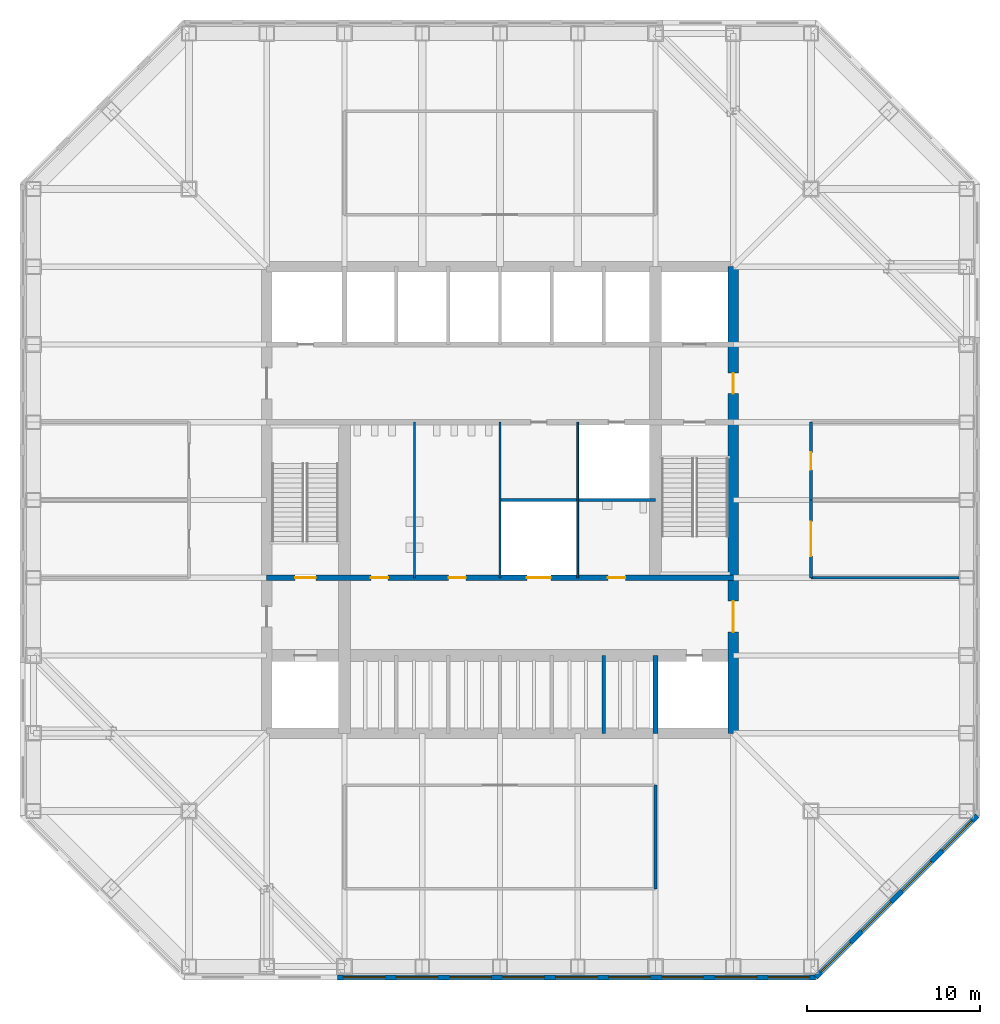
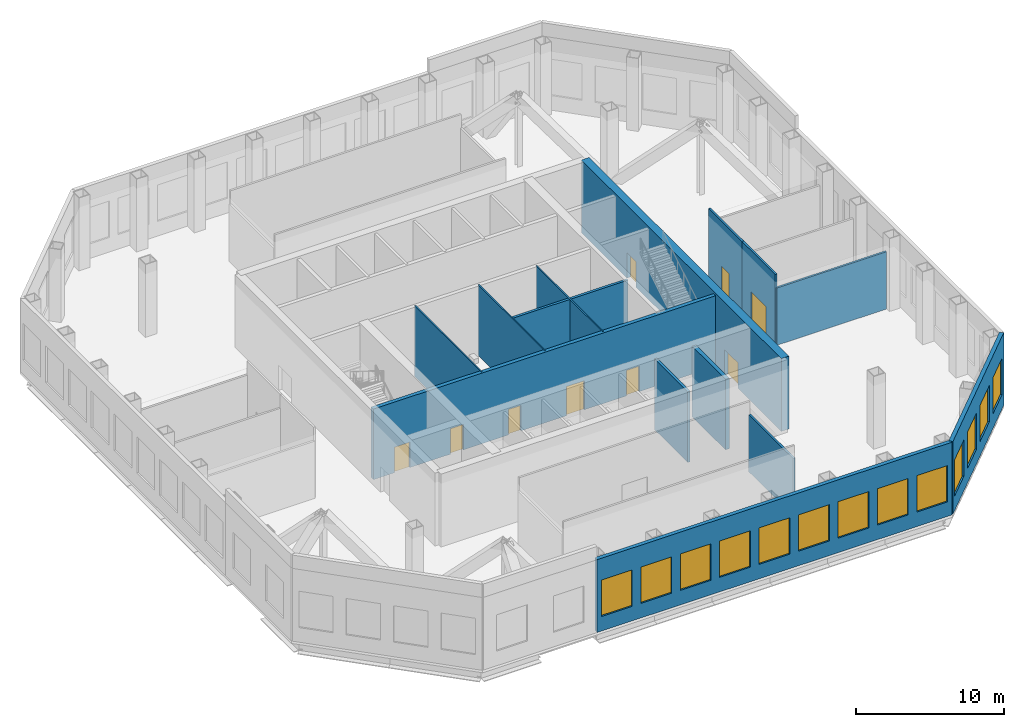
# One storey, part 6 of 11: 14 walls, 13 windows, 9 doors, 22 openings.
"""IFC4 building model written with IfcOpenShell, lengths in metres."""

from ifc_helpers import new_model, si_unit, direction, frame, frame_2d, origin, place, context, subcontext, project, spatial, rectangle, extrude, material, layer, layer_set, type_object, element, fill, save


model = new_model("IFC4")

# Units and contexts
model_context = context("Model", 3, precision=1e-05, world=origin(), true_north=direction((0.0, 1.0)))
body_context = subcontext(model_context, "Body", "Model", "MODEL_VIEW")
ifc_project = project(units=[si_unit("LENGTHUNIT", "METRE"), si_unit("AREAUNIT", "SQUARE_METRE"), si_unit("VOLUMEUNIT", "CUBIC_METRE"), si_unit("PLANEANGLEUNIT", "RADIAN"), si_unit("MASSUNIT", "GRAM", prefix="KILO")], contexts=[model_context])

# Site, building, storey
site_placement = place(None, origin())
site = spatial("IfcSite", under=ifc_project, at=site_placement, CompositionType="ELEMENT")
building_placement = place(site_placement, origin())
building = spatial("IfcBuilding", under=site, at=building_placement, Name="Corais Broadcast Tower", CompositionType="ELEMENT")
storey_placement = place(building_placement, frame((0.0, 0.0, 104.60009765625)))
storey = spatial("IfcBuildingStorey", under=building, at=storey_placement, Name="L23", CompositionType="ELEMENT", Elevation=104.60009765625)

# Wall
ifc_material_1 = material(Name="Concrete blockwork class A, grouted, two-hour", Category="masonry")
ifc_layer_1 = layer(ifc_material_1, 0.300048828125)
ifc_layer_set_1 = layer_set([ifc_layer_1], Name="Concrete blockwork class A, grouted, two-hour")
wall_type_1 = type_object("IfcWallType", Name="Core lobby wall 300", PredefinedType="SOLIDWALL", material=ifc_layer_set_1)
wall_1_placement = place(storey_placement, frame((36.0, 13.5, 0.0), z_axis=(0.0, 0.0, 1.0), x_axis=(0.0, 1.0, 0.0)))
element("IfcWall", 1, at=wall_1_placement, inside=storey, type_object=wall_type_1, Name="CL1 core shaft wall X36A L23", PredefinedType="SOLIDWALL", context=body_context, shape_type="SweptSolid", body=[
    extrude(rectangle(XDim=4.5, YDim=0.300048828125, at=frame_2d((2.25, 0.0))), origin(), (0.0, 0.0, 1.0), 5.81982421875),
])

# Wall, openings, doors
wall_2_placement = place(storey_placement, frame((13.5, 22.5, 0.0), z_axis=(0.0, 0.0, 1.0), x_axis=(1.0, 0.0, 0.0)))
wall_2 = element("IfcWall", 2, at=wall_2_placement, inside=storey, type_object=wall_type_1, Name="CL1 core lobby wall Y225 L23", PredefinedType="SOLIDWALL", context=body_context, shape_type="SweptSolid", body=[
    extrude(rectangle(XDim=27.0, YDim=0.300048828125, at=frame_2d((13.5, 0.0))), origin(), (0.0, 0.0, 1.0), 5.81982421875),
])
opening_1_placement = place(wall_2_placement, frame((1.64990234375, 0.0, 0.0)))
opening_1 = element("IfcOpeningElement", 3, at=opening_1_placement, cuts=wall_2, Name="Opening FD1", PredefinedType="OPENING", context=body_context, shape_type="SweptSolid", body=[
    extrude(rectangle(XDim=1.199951171875, YDim=2.10009765625, at=frame_2d((0.60009765625, 1.050048828125))), frame((0.0, 0.159912109375, 0.0), z_axis=(0.0, -1.0, 0.0), x_axis=(1.0, 0.0, 0.0)), (0.0, 0.0, 1.0), 0.320068359375),
])
opening_2_placement = place(wall_2_placement, frame((6.02490234375, 0.0, 0.0)))
opening_2 = element("IfcOpeningElement", 4, at=opening_2_placement, cuts=wall_2, Name="Opening WD1", PredefinedType="OPENING", context=body_context, shape_type="SweptSolid", body=[
    extrude(rectangle(XDim=1.0, YDim=2.10009765625, at=frame_2d((0.5, 1.050048828125))), frame((0.0, 0.159912109375, 0.0), z_axis=(0.0, -1.0, 0.0), x_axis=(1.0, 0.0, 0.0)), (0.0, 0.0, 1.0), 0.320068359375),
])
opening_3_placement = place(wall_2_placement, frame((10.52490234375, 0.0, 0.0)))
opening_3 = element("IfcOpeningElement", 5, at=opening_3_placement, cuts=wall_2, Name="Opening WD1", PredefinedType="OPENING", context=body_context, shape_type="SweptSolid", body=[
    extrude(rectangle(XDim=1.0, YDim=2.10009765625, at=frame_2d((0.5, 1.050048828125))), frame((0.0, 0.159912109375, 0.0), z_axis=(0.0, -1.0, 0.0), x_axis=(1.0, 0.0, 0.0)), (0.0, 0.0, 1.0), 0.320068359375),
])
opening_4_placement = place(wall_2_placement, frame((19.75, 0.0, 0.0)))
opening_4 = element("IfcOpeningElement", 6, at=opening_4_placement, cuts=wall_2, Name="Opening WD1", PredefinedType="OPENING", context=body_context, shape_type="SweptSolid", body=[
    extrude(rectangle(XDim=1.0, YDim=2.10009765625, at=frame_2d((0.5, 1.050048828125))), frame((0.0, 0.159912109375, 0.0), z_axis=(0.0, -1.0, 0.0), x_axis=(1.0, 0.0, 0.0)), (0.0, 0.0, 1.0), 0.320068359375),
])
opening_5_placement = place(wall_2_placement, frame((15.050048828125, 0.0, 0.0)))
opening_5 = element("IfcOpeningElement", 7, at=opening_5_placement, cuts=wall_2, Name="Opening LD3", PredefinedType="OPENING", context=body_context, shape_type="SweptSolid", body=[
    extrude(rectangle(XDim=1.39990234375, YDim=2.39990234375, at=frame_2d((0.699951171875, 1.199951171875))), frame((0.0, 0.159912109375, 0.0), z_axis=(0.0, -1.0, 0.0), x_axis=(1.0, 0.0, 0.0)), (0.0, 0.0, 1.0), 0.320068359375),
])
ifc_material_2 = material(Name="Steel fire door", Category="steel")
door_type_1 = type_object("IfcDoorType", Name="Fire door 1200x2100", OperationType="SINGLE_SWING_LEFT", PredefinedType="DOOR", material=ifc_material_2)
door_1_placement = place(opening_1_placement, origin())
door_1 = element("IfcDoor", 8, at=door_1_placement, inside=storey, type_object=door_type_1, Name="FD1 stair A door L23", OperationType="SINGLE_SWING_LEFT", OverallHeight=2.10009765625, OverallWidth=1.199951171875, PredefinedType="DOOR", context=body_context, shape_type="SweptSolid", body=[
    extrude(rectangle(XDim=1.199951171875, YDim=2.10009765625, at=frame_2d((0.60009765625, 1.050048828125))), frame((0.0, 0.02490234375, 0.0), z_axis=(0.0, -1.0, 0.0), x_axis=(1.0, 0.0, 0.0)), (0.0, 0.0, 1.0), 0.050048828125),
])
fill(opening_1, door_1)
ifc_material_3 = material(Name="Stainless steel lift door", Category="steel")
door_type_2 = type_object("IfcDoorType", Name="Service lift landing door 1400x2400", OperationType="SLIDING_TO_LEFT", PredefinedType="DOOR", material=ifc_material_3)
door_2_placement = place(opening_5_placement, origin())
door_2 = element("IfcDoor", 9, at=door_2_placement, inside=storey, type_object=door_type_2, Name="LD3 SL1 landing door L23", OperationType="SLIDING_TO_LEFT", OverallHeight=2.39990234375, OverallWidth=1.39990234375, PredefinedType="DOOR", context=body_context, shape_type="SweptSolid", body=[
    extrude(rectangle(XDim=1.39990234375, YDim=2.39990234375, at=frame_2d((0.699951171875, 1.199951171875))), frame((0.0, 0.02490234375, 0.0), z_axis=(0.0, -1.0, 0.0), x_axis=(1.0, 0.0, 0.0)), (0.0, 0.0, 1.0), 0.050048828125),
])
fill(opening_5, door_2)
ifc_material_4 = material(Name="Timber door", Category="wood")
door_type_3 = type_object("IfcDoorType", Name="Toilet door 1000x2100", OperationType="SINGLE_SWING_LEFT", PredefinedType="DOOR", material=ifc_material_4)
door_3_placement = place(opening_2_placement, origin())
door_3 = element("IfcDoor", 10, at=door_3_placement, inside=storey, type_object=door_type_3, Name="WD1 WC male door L23", OperationType="SINGLE_SWING_LEFT", OverallHeight=2.10009765625, OverallWidth=1.0, PredefinedType="DOOR", context=body_context, shape_type="SweptSolid", body=[
    extrude(rectangle(XDim=1.0, YDim=2.10009765625, at=frame_2d((0.5, 1.050048828125))), frame((0.0, 0.02490234375, 0.0), z_axis=(0.0, -1.0, 0.0), x_axis=(1.0, 0.0, 0.0)), (0.0, 0.0, 1.0), 0.050048828125),
])
fill(opening_2, door_3)
door_4_placement = place(opening_3_placement, origin())
door_4 = element("IfcDoor", 11, at=door_4_placement, inside=storey, type_object=door_type_3, Name="WD1 WC female door L23", OperationType="SINGLE_SWING_LEFT", OverallHeight=2.10009765625, OverallWidth=1.0, PredefinedType="DOOR", context=body_context, shape_type="SweptSolid", body=[
    extrude(rectangle(XDim=1.0, YDim=2.10009765625, at=frame_2d((0.5, 1.050048828125))), frame((0.0, 0.02490234375, 0.0), z_axis=(0.0, -1.0, 0.0), x_axis=(1.0, 0.0, 0.0)), (0.0, 0.0, 1.0), 0.050048828125),
])
fill(opening_3, door_4)
door_5_placement = place(opening_4_placement, origin())
door_5 = element("IfcDoor", 12, at=door_5_placement, inside=storey, type_object=door_type_3, Name="WD1 accessible WC door L23", OperationType="SINGLE_SWING_RIGHT", OverallHeight=2.10009765625, OverallWidth=1.0, PredefinedType="DOOR", context=body_context, shape_type="SweptSolid", body=[
    extrude(rectangle(XDim=1.0, YDim=2.10009765625, at=frame_2d((0.5, 1.050048828125))), frame((0.0, 0.02490234375, 0.0), z_axis=(0.0, -1.0, 0.0), x_axis=(1.0, 0.0, 0.0)), (0.0, 0.0, 1.0), 0.050048828125),
])
fill(opening_4, door_5)

ifc_material_5 = material(Name="Concrete C50/60", Category="concrete")
ifc_layer_2 = layer(ifc_material_5, 0.60009765625)
ifc_layer_set_2 = layer_set([ifc_layer_2], Name="Concrete C50/60")
wall_type_2 = type_object("IfcWallType", Name="Core wall 600", PredefinedType="SHEAR", material=ifc_layer_set_2)
wall_3_placement = place(storey_placement, frame((40.5, 13.5, 0.0), z_axis=(0.0, 0.0, 1.0), x_axis=(0.0, 1.0, 0.0)))
wall_3 = element("IfcWall", 13, at=wall_3_placement, inside=storey, type_object=wall_type_2, Name="CR600 core wall E L23", PredefinedType="SHEAR", context=body_context, shape_type="SweptSolid", body=[
    extrude(rectangle(XDim=27.0, YDim=0.60009765625, at=frame_2d((13.5, 0.0))), origin(), (0.0, 0.0, 1.0), 6.0),
])
opening_6_placement = place(wall_3_placement, frame((5.85009765625, 0.0, 0.0)))
opening_6 = element("IfcOpeningElement", 14, at=opening_6_placement, cuts=wall_3, Name="Opening FD2", PredefinedType="OPENING", context=body_context, shape_type="SweptSolid", body=[
    extrude(rectangle(XDim=1.800048828125, YDim=2.10009765625, at=frame_2d((0.89990234375, 1.050048828125))), frame((0.0, 0.31005859375, 0.0), z_axis=(0.0, -1.0, 0.0), x_axis=(1.0, 0.0, 0.0)), (0.0, 0.0, 1.0), 0.6201171875),
])
opening_7_placement = place(wall_3_placement, frame((19.64990234375, 0.0, 0.0)))
opening_7 = element("IfcOpeningElement", 15, at=opening_7_placement, cuts=wall_3, Name="Opening FD1", PredefinedType="OPENING", context=body_context, shape_type="SweptSolid", body=[
    extrude(rectangle(XDim=1.199951171875, YDim=2.10009765625, at=frame_2d((0.60009765625, 1.050048828125))), frame((0.0, 0.31005859375, 0.0), z_axis=(0.0, -1.0, 0.0), x_axis=(1.0, 0.0, 0.0)), (0.0, 0.0, 1.0), 0.6201171875),
])
door_6_placement = place(opening_7_placement, origin())
door_6 = element("IfcDoor", 16, at=door_6_placement, inside=storey, type_object=door_type_1, Name="FD1 fire lobby B door L23", OperationType="SINGLE_SWING_RIGHT", OverallHeight=2.10009765625, OverallWidth=1.199951171875, PredefinedType="DOOR", context=body_context, shape_type="SweptSolid", body=[
    extrude(rectangle(XDim=1.199951171875, YDim=2.10009765625, at=frame_2d((0.60009765625, 1.050048828125))), frame((0.0, 0.02490234375, 0.0), z_axis=(0.0, -1.0, 0.0), x_axis=(1.0, 0.0, 0.0)), (0.0, 0.0, 1.0), 0.050048828125),
])
fill(opening_7, door_6)
ifc_material_6 = material(Name="Steel fire door", Category="steel")
door_type_4 = type_object("IfcDoorType", Name="Fire door pair 1800x2100", OperationType="DOUBLE_DOOR_SINGLE_SWING", PredefinedType="DOOR", material=ifc_material_6)
door_7_placement = place(opening_6_placement, origin())
door_7 = element("IfcDoor", 17, at=door_7_placement, inside=storey, type_object=door_type_4, Name="FD2 lift lobby door L23", OperationType="SINGLE_SWING_LEFT", OverallHeight=2.10009765625, OverallWidth=1.800048828125, PredefinedType="DOOR", context=body_context, shape_type="SweptSolid", body=[
    extrude(rectangle(XDim=1.800048828125, YDim=2.10009765625, at=frame_2d((0.89990234375, 1.050048828125))), frame((0.0, 0.02490234375, 0.0), z_axis=(0.0, -1.0, 0.0), x_axis=(1.0, 0.0, 0.0)), (0.0, 0.0, 1.0), 0.050048828125),
])
fill(opening_6, door_7)

# Walls
ifc_material_7 = material(Name="Two layers of fire-rated gypsum board each side on steel studs", Category="steel")
ifc_layer_3 = layer(ifc_material_7, 0.14990234375)
ifc_layer_set_3 = layer_set([ifc_layer_3], Name="Two layers of fire-rated gypsum board each side on steel studs")
wall_type_3 = type_object("IfcWallType", Name="Fire-rated partition 150 EI 60", PredefinedType="PARTITIONING", material=ifc_layer_set_3)
wall_4_placement = place(storey_placement, frame((36.0, 4.5, 0.0), z_axis=(0.0, 0.0, 1.0), x_axis=(0.0, 1.0, 0.0)))
element("IfcWall", 18, at=wall_4_placement, inside=storey, type_object=wall_type_3, Name="IW7 partition L23", PredefinedType="PARTITIONING", context=body_context, shape_type="SweptSolid", body=[
    extrude(rectangle(XDim=6.0, YDim=0.14990234375, at=frame_2d((3.0, 0.0))), origin(), (0.0, 0.0, 1.0), 4.719970703125),
])
wall_5_placement = place(storey_placement, frame((45.0, 22.5, 0.0), z_axis=(0.0, 0.0, 1.0), x_axis=(1.0, 0.0, 0.0)))
element("IfcWall", 19, at=wall_5_placement, inside=storey, type_object=wall_type_3, Name="IW7 partition L23", PredefinedType="PARTITIONING", context=body_context, shape_type="SweptSolid", body=[
    extrude(rectangle(XDim=8.56494140625, YDim=0.14990234375, at=frame_2d((4.282470703125, 0.0))), origin(), (0.0, 0.0, 1.0), 4.719970703125),
])

# Wall, opening, door
wall_6_placement = place(storey_placement, frame((45.0, 27.0, 0.0), z_axis=(0.0, 0.0, 1.0), x_axis=(0.0, -1.0, 0.0)))
wall_6 = element("IfcWall", 20, at=wall_6_placement, inside=storey, type_object=wall_type_3, Name="IW7 partition L23", PredefinedType="PARTITIONING", context=body_context, shape_type="SweptSolid", body=[
    extrude(rectangle(XDim=4.5, YDim=0.14990234375, at=frame_2d((2.25, 0.0))), origin(), (0.0, 0.0, 1.0), 5.81982421875),
])
opening_8_placement = place(wall_6_placement, frame((1.25, 0.0, 0.0)))
opening_8 = element("IfcOpeningElement", 21, at=opening_8_placement, cuts=wall_6, Name="Opening D4", PredefinedType="OPENING", context=body_context, shape_type="SweptSolid", body=[
    extrude(rectangle(XDim=2.0, YDim=2.39990234375, at=frame_2d((1.0, 1.199951171875))), frame((0.0, 0.0849609375, 0.0), z_axis=(0.0, -1.0, 0.0), x_axis=(1.0, 0.0, 0.0)), (0.0, 0.0, 1.0), 0.169921875),
])
ifc_material_8 = material(Name="Steel door", Category="steel")
door_type_5 = type_object("IfcDoorType", Name="Plant room door pair 2000x2400", OperationType="DOUBLE_DOOR_SINGLE_SWING", PredefinedType="DOOR", material=ifc_material_8)
door_8_placement = place(opening_8_placement, origin())
door_8 = element("IfcDoor", 22, at=door_8_placement, inside=storey, type_object=door_type_5, Name="D4 Sprinkler pump plant room door", OperationType="SINGLE_SWING_LEFT", OverallHeight=2.39990234375, OverallWidth=2.0, PredefinedType="DOOR", context=body_context, shape_type="SweptSolid", body=[
    extrude(rectangle(XDim=2.0, YDim=2.39990234375, at=frame_2d((1.0, 1.199951171875))), frame((0.0, 0.02490234375, 0.0), z_axis=(0.0, -1.0, 0.0), x_axis=(1.0, 0.0, 0.0)), (0.0, 0.0, 1.0), 0.050048828125),
])
fill(opening_8, door_8)

ifc_material_9 = material(Name="Gypsum board on steel studs", Category="steel")
ifc_layer_4 = layer(ifc_material_9, 0.14990234375)
ifc_layer_set_4 = layer_set([ifc_layer_4], Name="Gypsum board on steel studs")
wall_type_4 = type_object("IfcWallType", Name="Partition 150", PredefinedType="PARTITIONING", material=ifc_layer_set_4)
wall_7_placement = place(storey_placement, frame((45.0, 31.5, 0.0), z_axis=(0.0, 0.0, 1.0), x_axis=(0.0, -1.0, 0.0)))
wall_7 = element("IfcWall", 23, at=wall_7_placement, inside=storey, type_object=wall_type_4, Name="IW3 partition L23", PredefinedType="PARTITIONING", context=body_context, shape_type="SweptSolid", body=[
    extrude(rectangle(XDim=4.5, YDim=0.14990234375, at=frame_2d((2.25, 0.0))), origin(), (0.0, 0.0, 1.0), 5.81982421875),
])
opening_9_placement = place(wall_7_placement, frame((1.75, 0.0, 0.0)))
opening_9 = element("IfcOpeningElement", 24, at=opening_9_placement, cuts=wall_7, Name="Opening D1", PredefinedType="OPENING", context=body_context, shape_type="SweptSolid", body=[
    extrude(rectangle(XDim=1.0, YDim=2.10009765625, at=frame_2d((0.5, 1.050048828125))), frame((0.0, 0.0849609375, 0.0), z_axis=(0.0, -1.0, 0.0), x_axis=(1.0, 0.0, 0.0)), (0.0, 0.0, 1.0), 0.169921875),
])
ifc_material_10 = material(Name="Timber door", Category="wood")
door_type_6 = type_object("IfcDoorType", Name="Single door 1000x2100", OperationType="SINGLE_SWING_LEFT", PredefinedType="DOOR", material=ifc_material_10)
door_9_placement = place(opening_9_placement, origin())
door_9 = element("IfcDoor", 25, at=door_9_placement, inside=storey, type_object=door_type_6, Name="D1 Refuge area east door", OperationType="SINGLE_SWING_LEFT", OverallHeight=2.10009765625, OverallWidth=1.0, PredefinedType="DOOR", context=body_context, shape_type="SweptSolid", body=[
    extrude(rectangle(XDim=1.0, YDim=2.10009765625, at=frame_2d((0.5, 1.050048828125))), frame((0.0, 0.02490234375, 0.0), z_axis=(0.0, -1.0, 0.0), x_axis=(1.0, 0.0, 0.0)), (0.0, 0.0, 1.0), 0.050048828125),
])
fill(opening_9, door_9)

# Walls
ifc_material_11 = material(Name="Concrete blockwork class A, grouted, two-hour", Category="masonry")
ifc_layer_5 = layer(ifc_material_11, 0.199951171875)
ifc_layer_set_5 = layer_set([ifc_layer_5], Name="Concrete blockwork class A, grouted, two-hour")
wall_type_5 = type_object("IfcWallType", Name="Shaft wall 200", PredefinedType="PARTITIONING", material=ifc_layer_set_5)
wall_8_placement = place(storey_placement, frame((33.0, 13.5, 0.0), z_axis=(0.0, 0.0, 1.0), x_axis=(0.0, 1.0, 0.0)))
element("IfcWall", 26, at=wall_8_placement, inside=storey, type_object=wall_type_5, Name="IW1 shaft wall L23", PredefinedType="PARTITIONING", context=body_context, shape_type="SweptSolid", body=[
    extrude(rectangle(XDim=4.5, YDim=0.199951171875, at=frame_2d((2.25, 0.0))), origin(), (0.0, 0.0, 1.0), 5.81982421875),
])
wall_9_placement = place(storey_placement, frame((27.0, 27.0, 0.0), z_axis=(0.0, 0.0, 1.0), x_axis=(1.0, 0.0, 0.0)))
element("IfcWall", 27, at=wall_9_placement, inside=storey, type_object=wall_type_5, Name="IW1 shaft wall L23", PredefinedType="PARTITIONING", context=body_context, shape_type="SweptSolid", body=[
    extrude(rectangle(XDim=9.0, YDim=0.199951171875, at=frame_2d((4.5, 0.0))), origin(), (0.0, 0.0, 1.0), 5.81982421875),
])

# Wall, openings, windows
ifc_material_12 = material(Name="Precast concrete C40/50", Category="concrete")
ifc_layer_6 = layer(ifc_material_12, 0.300048828125)
ifc_layer_set_6 = layer_set([ifc_layer_6], Name="Precast concrete C40/50")
wall_type_6 = type_object("IfcWallType", Name="Stone-faced precast wall 300", PredefinedType="SOLIDWALL", material=ifc_layer_set_6)
wall_10_placement = place(storey_placement, frame((54.6298828125, 8.739013671875, 0.0), z_axis=(0.0, 0.0, 1.0), x_axis=(-0.707106781187, -0.707106781187, 0.0)))
wall_10 = element("IfcWall", 28, at=wall_10_placement, inside=storey, type_object=wall_type_6, Name="EW1 external wall L23 7", PredefinedType="SOLIDWALL", context=body_context, shape_type="SweptSolid", body=[
    extrude(rectangle(XDim=13.24951171875, YDim=0.300048828125, at=frame_2d((6.624755859375, 0.0))), origin(), (0.0, 0.0, 1.0), 6.0),
])
opening_10_placement = place(wall_10_placement, frame((0.456298828125, 0.0, 1.199951171875)))
opening_10 = element("IfcOpeningElement", 29, at=opening_10_placement, cuts=wall_10, Name="Opening LV1", PredefinedType="OPENING", context=body_context, shape_type="SweptSolid", body=[
    extrude(rectangle(XDim=2.39990234375, YDim=3.0, at=frame_2d((1.199951171875, 1.5))), frame((0.0, 0.159912109375, 0.0), z_axis=(0.0, -1.0, 0.0), x_axis=(1.0, 0.0, 0.0)), (0.0, 0.0, 1.0), 0.320068359375),
])
opening_11_placement = place(wall_10_placement, frame((3.7685546875, 0.0, 1.199951171875)))
opening_11 = element("IfcOpeningElement", 30, at=opening_11_placement, cuts=wall_10, Name="Opening LV1", PredefinedType="OPENING", context=body_context, shape_type="SweptSolid", body=[
    extrude(rectangle(XDim=2.39990234375, YDim=3.0, at=frame_2d((1.199951171875, 1.5))), frame((0.0, 0.159912109375, 0.0), z_axis=(0.0, -1.0, 0.0), x_axis=(1.0, 0.0, 0.0)), (0.0, 0.0, 1.0), 0.320068359375),
])
opening_12_placement = place(wall_10_placement, frame((7.0810546875, 0.0, 1.199951171875)))
opening_12 = element("IfcOpeningElement", 31, at=opening_12_placement, cuts=wall_10, Name="Opening LV1", PredefinedType="OPENING", context=body_context, shape_type="SweptSolid", body=[
    extrude(rectangle(XDim=2.39990234375, YDim=3.0, at=frame_2d((1.199951171875, 1.5))), frame((0.0, 0.159912109375, 0.0), z_axis=(0.0, -1.0, 0.0), x_axis=(1.0, 0.0, 0.0)), (0.0, 0.0, 1.0), 0.320068359375),
])
opening_13_placement = place(wall_10_placement, frame((10.3935546875, 0.0, 1.199951171875)))
opening_13 = element("IfcOpeningElement", 32, at=opening_13_placement, cuts=wall_10, Name="Opening LV1", PredefinedType="OPENING", context=body_context, shape_type="SweptSolid", body=[
    extrude(rectangle(XDim=2.39990234375, YDim=3.0, at=frame_2d((1.199951171875, 1.5))), frame((0.0, 0.159912109375, 0.0), z_axis=(0.0, -1.0, 0.0), x_axis=(1.0, 0.0, 0.0)), (0.0, 0.0, 1.0), 0.320068359375),
])
ifc_material_13 = material(Name="Aluminium frame", Category="aluminium")
window_type = type_object("IfcWindowType", Name="Plant louvre 2400x3000", PartitioningType="SINGLE_PANEL", PredefinedType="USERDEFINED", material=ifc_material_13)
window_1_placement = place(opening_10_placement, origin())
window_1 = element("IfcWindow", 33, at=window_1_placement, inside=storey, type_object=window_type, Name="LV1 window L23", ObjectType="LOUVRE", OverallHeight=3.0, OverallWidth=2.39990234375, PartitioningType="SINGLE_PANEL", PredefinedType="USERDEFINED", context=body_context, shape_type="SweptSolid", body=[
    extrude(rectangle(XDim=2.39990234375, YDim=3.0, at=frame_2d((1.199951171875, 1.5))), frame((0.0, 0.030029296875, 0.0), z_axis=(0.0, -1.0, 0.0), x_axis=(1.0, 0.0, 0.0)), (0.0, 0.0, 1.0), 0.06005859375),
])
fill(opening_10, window_1)
window_2_placement = place(opening_11_placement, origin())
window_2 = element("IfcWindow", 34, at=window_2_placement, inside=storey, type_object=window_type, Name="LV1 window L23", ObjectType="LOUVRE", OverallHeight=3.0, OverallWidth=2.39990234375, PartitioningType="SINGLE_PANEL", PredefinedType="USERDEFINED", context=body_context, shape_type="SweptSolid", body=[
    extrude(rectangle(XDim=2.39990234375, YDim=3.0, at=frame_2d((1.199951171875, 1.5))), frame((0.0, 0.030029296875, 0.0), z_axis=(0.0, -1.0, 0.0), x_axis=(1.0, 0.0, 0.0)), (0.0, 0.0, 1.0), 0.06005859375),
])
fill(opening_11, window_2)
window_3_placement = place(opening_12_placement, origin())
window_3 = element("IfcWindow", 35, at=window_3_placement, inside=storey, type_object=window_type, Name="LV1 window L23", ObjectType="LOUVRE", OverallHeight=3.0, OverallWidth=2.39990234375, PartitioningType="SINGLE_PANEL", PredefinedType="USERDEFINED", context=body_context, shape_type="SweptSolid", body=[
    extrude(rectangle(XDim=2.39990234375, YDim=3.0, at=frame_2d((1.199951171875, 1.5))), frame((0.0, 0.030029296875, 0.0), z_axis=(0.0, -1.0, 0.0), x_axis=(1.0, 0.0, 0.0)), (0.0, 0.0, 1.0), 0.06005859375),
])
fill(opening_12, window_3)
window_4_placement = place(opening_13_placement, origin())
window_4 = element("IfcWindow", 36, at=window_4_placement, inside=storey, type_object=window_type, Name="LV1 window L23", ObjectType="LOUVRE", OverallHeight=3.0, OverallWidth=2.39990234375, PartitioningType="SINGLE_PANEL", PredefinedType="USERDEFINED", context=body_context, shape_type="SweptSolid", body=[
    extrude(rectangle(XDim=2.39990234375, YDim=3.0, at=frame_2d((1.199951171875, 1.5))), frame((0.0, 0.030029296875, 0.0), z_axis=(0.0, -1.0, 0.0), x_axis=(1.0, 0.0, 0.0)), (0.0, 0.0, 1.0), 0.06005859375),
])
fill(opening_13, window_4)

wall_11_placement = place(storey_placement, frame((45.260986328125, -0.6298828125, 0.0), z_axis=(0.0, 0.0, 1.0), x_axis=(-1.0, 0.0, 0.0)))
wall_11 = element("IfcWall", 37, at=wall_11_placement, inside=storey, type_object=wall_type_6, Name="EW1 external wall L23 8", PredefinedType="SOLIDWALL", context=body_context, shape_type="SweptSolid", body=[
    extrude(rectangle(XDim=27.663330078125, YDim=0.300048828125, at=frame_2d((13.83154296875, 0.0))), origin(), (0.0, 0.0, 1.0), 6.0),
])
opening_14_placement = place(wall_11_placement, frame((0.3369140625, 0.0, 1.199951171875)))
opening_14 = element("IfcOpeningElement", 38, at=opening_14_placement, cuts=wall_11, Name="Opening LV1", PredefinedType="OPENING", context=body_context, shape_type="SweptSolid", body=[
    extrude(rectangle(XDim=2.39990234375, YDim=3.0, at=frame_2d((1.199951171875, 1.5))), frame((0.0, 0.159912109375, 0.0), z_axis=(0.0, -1.0, 0.0), x_axis=(1.0, 0.0, 0.0)), (0.0, 0.0, 1.0), 0.320068359375),
])
opening_15_placement = place(wall_11_placement, frame((3.41064453125, 0.0, 1.199951171875)))
opening_15 = element("IfcOpeningElement", 39, at=opening_15_placement, cuts=wall_11, Name="Opening LV1", PredefinedType="OPENING", context=body_context, shape_type="SweptSolid", body=[
    extrude(rectangle(XDim=2.39990234375, YDim=3.0, at=frame_2d((1.199951171875, 1.5))), frame((0.0, 0.159912109375, 0.0), z_axis=(0.0, -1.0, 0.0), x_axis=(1.0, 0.0, 0.0)), (0.0, 0.0, 1.0), 0.320068359375),
])
opening_16_placement = place(wall_11_placement, frame((6.484375, 0.0, 1.199951171875)))
opening_16 = element("IfcOpeningElement", 40, at=opening_16_placement, cuts=wall_11, Name="Opening LV1", PredefinedType="OPENING", context=body_context, shape_type="SweptSolid", body=[
    extrude(rectangle(XDim=2.39990234375, YDim=3.0, at=frame_2d((1.199951171875, 1.5))), frame((0.0, 0.159912109375, 0.0), z_axis=(0.0, -1.0, 0.0), x_axis=(1.0, 0.0, 0.0)), (0.0, 0.0, 1.0), 0.320068359375),
])
opening_17_placement = place(wall_11_placement, frame((9.55810546875, 0.0, 1.199951171875)))
opening_17 = element("IfcOpeningElement", 41, at=opening_17_placement, cuts=wall_11, Name="Opening LV1", PredefinedType="OPENING", context=body_context, shape_type="SweptSolid", body=[
    extrude(rectangle(XDim=2.39990234375, YDim=3.0, at=frame_2d((1.199951171875, 1.5))), frame((0.0, 0.159912109375, 0.0), z_axis=(0.0, -1.0, 0.0), x_axis=(1.0, 0.0, 0.0)), (0.0, 0.0, 1.0), 0.320068359375),
])
opening_18_placement = place(wall_11_placement, frame((12.631591796875, 0.0, 1.199951171875)))
opening_18 = element("IfcOpeningElement", 42, at=opening_18_placement, cuts=wall_11, Name="Opening LV1", PredefinedType="OPENING", context=body_context, shape_type="SweptSolid", body=[
    extrude(rectangle(XDim=2.39990234375, YDim=3.0, at=frame_2d((1.199951171875, 1.5))), frame((0.0, 0.159912109375, 0.0), z_axis=(0.0, -1.0, 0.0), x_axis=(1.0, 0.0, 0.0)), (0.0, 0.0, 1.0), 0.320068359375),
])
opening_19_placement = place(wall_11_placement, frame((15.705322265625, 0.0, 1.199951171875)))
opening_19 = element("IfcOpeningElement", 43, at=opening_19_placement, cuts=wall_11, Name="Opening LV1", PredefinedType="OPENING", context=body_context, shape_type="SweptSolid", body=[
    extrude(rectangle(XDim=2.39990234375, YDim=3.0, at=frame_2d((1.199951171875, 1.5))), frame((0.0, 0.159912109375, 0.0), z_axis=(0.0, -1.0, 0.0), x_axis=(1.0, 0.0, 0.0)), (0.0, 0.0, 1.0), 0.320068359375),
])
opening_20_placement = place(wall_11_placement, frame((18.779052734375, 0.0, 1.199951171875)))
opening_20 = element("IfcOpeningElement", 44, at=opening_20_placement, cuts=wall_11, Name="Opening LV1", PredefinedType="OPENING", context=body_context, shape_type="SweptSolid", body=[
    extrude(rectangle(XDim=2.39990234375, YDim=3.0, at=frame_2d((1.199951171875, 1.5))), frame((0.0, 0.159912109375, 0.0), z_axis=(0.0, -1.0, 0.0), x_axis=(1.0, 0.0, 0.0)), (0.0, 0.0, 1.0), 0.320068359375),
])
opening_21_placement = place(wall_11_placement, frame((21.852783203125, 0.0, 1.199951171875)))
opening_21 = element("IfcOpeningElement", 45, at=opening_21_placement, cuts=wall_11, Name="Opening LV1", PredefinedType="OPENING", context=body_context, shape_type="SweptSolid", body=[
    extrude(rectangle(XDim=2.39990234375, YDim=3.0, at=frame_2d((1.199951171875, 1.5))), frame((0.0, 0.159912109375, 0.0), z_axis=(0.0, -1.0, 0.0), x_axis=(1.0, 0.0, 0.0)), (0.0, 0.0, 1.0), 0.320068359375),
])
opening_22_placement = place(wall_11_placement, frame((24.926513671875, 0.0, 1.199951171875)))
opening_22 = element("IfcOpeningElement", 46, at=opening_22_placement, cuts=wall_11, Name="Opening LV1", PredefinedType="OPENING", context=body_context, shape_type="SweptSolid", body=[
    extrude(rectangle(XDim=2.39990234375, YDim=3.0, at=frame_2d((1.199951171875, 1.5))), frame((0.0, 0.159912109375, 0.0), z_axis=(0.0, -1.0, 0.0), x_axis=(1.0, 0.0, 0.0)), (0.0, 0.0, 1.0), 0.320068359375),
])
window_5_placement = place(opening_14_placement, origin())
window_5 = element("IfcWindow", 47, at=window_5_placement, inside=storey, type_object=window_type, Name="LV1 window L23", ObjectType="LOUVRE", OverallHeight=3.0, OverallWidth=2.39990234375, PartitioningType="SINGLE_PANEL", PredefinedType="USERDEFINED", context=body_context, shape_type="SweptSolid", body=[
    extrude(rectangle(XDim=2.39990234375, YDim=3.0, at=frame_2d((1.199951171875, 1.5))), frame((0.0, 0.030029296875, 0.0), z_axis=(0.0, -1.0, 0.0), x_axis=(1.0, 0.0, 0.0)), (0.0, 0.0, 1.0), 0.06005859375),
])
fill(opening_14, window_5)
window_6_placement = place(opening_15_placement, origin())
window_6 = element("IfcWindow", 48, at=window_6_placement, inside=storey, type_object=window_type, Name="LV1 window L23", ObjectType="LOUVRE", OverallHeight=3.0, OverallWidth=2.39990234375, PartitioningType="SINGLE_PANEL", PredefinedType="USERDEFINED", context=body_context, shape_type="SweptSolid", body=[
    extrude(rectangle(XDim=2.39990234375, YDim=3.0, at=frame_2d((1.199951171875, 1.5))), frame((0.0, 0.030029296875, 0.0), z_axis=(0.0, -1.0, 0.0), x_axis=(1.0, 0.0, 0.0)), (0.0, 0.0, 1.0), 0.06005859375),
])
fill(opening_15, window_6)
window_7_placement = place(opening_16_placement, origin())
window_7 = element("IfcWindow", 49, at=window_7_placement, inside=storey, type_object=window_type, Name="LV1 window L23", ObjectType="LOUVRE", OverallHeight=3.0, OverallWidth=2.39990234375, PartitioningType="SINGLE_PANEL", PredefinedType="USERDEFINED", context=body_context, shape_type="SweptSolid", body=[
    extrude(rectangle(XDim=2.39990234375, YDim=3.0, at=frame_2d((1.199951171875, 1.5))), frame((0.0, 0.030029296875, 0.0), z_axis=(0.0, -1.0, 0.0), x_axis=(1.0, 0.0, 0.0)), (0.0, 0.0, 1.0), 0.06005859375),
])
fill(opening_16, window_7)
window_8_placement = place(opening_17_placement, origin())
window_8 = element("IfcWindow", 50, at=window_8_placement, inside=storey, type_object=window_type, Name="LV1 window L23", ObjectType="LOUVRE", OverallHeight=3.0, OverallWidth=2.39990234375, PartitioningType="SINGLE_PANEL", PredefinedType="USERDEFINED", context=body_context, shape_type="SweptSolid", body=[
    extrude(rectangle(XDim=2.39990234375, YDim=3.0, at=frame_2d((1.199951171875, 1.5))), frame((0.0, 0.030029296875, 0.0), z_axis=(0.0, -1.0, 0.0), x_axis=(1.0, 0.0, 0.0)), (0.0, 0.0, 1.0), 0.06005859375),
])
fill(opening_17, window_8)
window_9_placement = place(opening_18_placement, origin())
window_9 = element("IfcWindow", 51, at=window_9_placement, inside=storey, type_object=window_type, Name="LV1 window L23", ObjectType="LOUVRE", OverallHeight=3.0, OverallWidth=2.39990234375, PartitioningType="SINGLE_PANEL", PredefinedType="USERDEFINED", context=body_context, shape_type="SweptSolid", body=[
    extrude(rectangle(XDim=2.39990234375, YDim=3.0, at=frame_2d((1.199951171875, 1.5))), frame((0.0, 0.030029296875, 0.0), z_axis=(0.0, -1.0, 0.0), x_axis=(1.0, 0.0, 0.0)), (0.0, 0.0, 1.0), 0.06005859375),
])
fill(opening_18, window_9)
window_10_placement = place(opening_19_placement, origin())
window_10 = element("IfcWindow", 52, at=window_10_placement, inside=storey, type_object=window_type, Name="LV1 window L23", ObjectType="LOUVRE", OverallHeight=3.0, OverallWidth=2.39990234375, PartitioningType="SINGLE_PANEL", PredefinedType="USERDEFINED", context=body_context, shape_type="SweptSolid", body=[
    extrude(rectangle(XDim=2.39990234375, YDim=3.0, at=frame_2d((1.199951171875, 1.5))), frame((0.0, 0.030029296875, 0.0), z_axis=(0.0, -1.0, 0.0), x_axis=(1.0, 0.0, 0.0)), (0.0, 0.0, 1.0), 0.06005859375),
])
fill(opening_19, window_10)
window_11_placement = place(opening_20_placement, origin())
window_11 = element("IfcWindow", 53, at=window_11_placement, inside=storey, type_object=window_type, Name="LV1 window L23", ObjectType="LOUVRE", OverallHeight=3.0, OverallWidth=2.39990234375, PartitioningType="SINGLE_PANEL", PredefinedType="USERDEFINED", context=body_context, shape_type="SweptSolid", body=[
    extrude(rectangle(XDim=2.39990234375, YDim=3.0, at=frame_2d((1.199951171875, 1.5))), frame((0.0, 0.030029296875, 0.0), z_axis=(0.0, -1.0, 0.0), x_axis=(1.0, 0.0, 0.0)), (0.0, 0.0, 1.0), 0.06005859375),
])
fill(opening_20, window_11)
window_12_placement = place(opening_21_placement, origin())
window_12 = element("IfcWindow", 54, at=window_12_placement, inside=storey, type_object=window_type, Name="LV1 window L23", ObjectType="LOUVRE", OverallHeight=3.0, OverallWidth=2.39990234375, PartitioningType="SINGLE_PANEL", PredefinedType="USERDEFINED", context=body_context, shape_type="SweptSolid", body=[
    extrude(rectangle(XDim=2.39990234375, YDim=3.0, at=frame_2d((1.199951171875, 1.5))), frame((0.0, 0.030029296875, 0.0), z_axis=(0.0, -1.0, 0.0), x_axis=(1.0, 0.0, 0.0)), (0.0, 0.0, 1.0), 0.06005859375),
])
fill(opening_21, window_12)
window_13_placement = place(opening_22_placement, origin())
window_13 = element("IfcWindow", 55, at=window_13_placement, inside=storey, type_object=window_type, Name="LV1 window L23", ObjectType="LOUVRE", OverallHeight=3.0, OverallWidth=2.39990234375, PartitioningType="SINGLE_PANEL", PredefinedType="USERDEFINED", context=body_context, shape_type="SweptSolid", body=[
    extrude(rectangle(XDim=2.39990234375, YDim=3.0, at=frame_2d((1.199951171875, 1.5))), frame((0.0, 0.030029296875, 0.0), z_axis=(0.0, -1.0, 0.0), x_axis=(1.0, 0.0, 0.0)), (0.0, 0.0, 1.0), 0.06005859375),
])
fill(opening_22, window_13)

# Walls
ifc_material_14 = material(Name="Dense concrete blockwork class A, tiled both faces", Category="masonry")
ifc_layer_7 = layer(ifc_material_14, 0.10009765625)
ifc_layer_set_7 = layer_set([ifc_layer_7], Name="Dense concrete blockwork class A, tiled both faces")
wall_type_7 = type_object("IfcWallType", Name="Toilet wall 100", PredefinedType="PLUMBINGWALL", material=ifc_layer_set_7)
for number, where, z_axis, x_axis, name in (
    (56, (22.050048828125, 22.5, 0.0), (0.0, 0.0, 1.0), (0.0, 1.0, 0.0), "IW2 toilet wall L23"),
    (57, (27.0, 22.5, 0.0), (0.0, 0.0, 1.0), (0.0, 1.0, 0.0), "IW2 toilet wall L23"),
    (58, (31.5, 22.5, 0.0), (0.0, 0.0, 1.0), (0.0, 1.0, 0.0), "IW2 toilet wall L23"),
):
    element("IfcWall", number, at=place(storey_placement, frame(where, z_axis=z_axis, x_axis=x_axis)), inside=storey, type_object=wall_type_7, Name=name, PredefinedType="PLUMBINGWALL", context=body_context, shape_type="SweptSolid", body=[
        extrude(rectangle(XDim=9.0, YDim=0.10009765625, at=frame_2d((4.5, 0.0))), origin(), (0.0, 0.0, 1.0), 5.81982421875),
    ])

save(model, "model.ifc")
